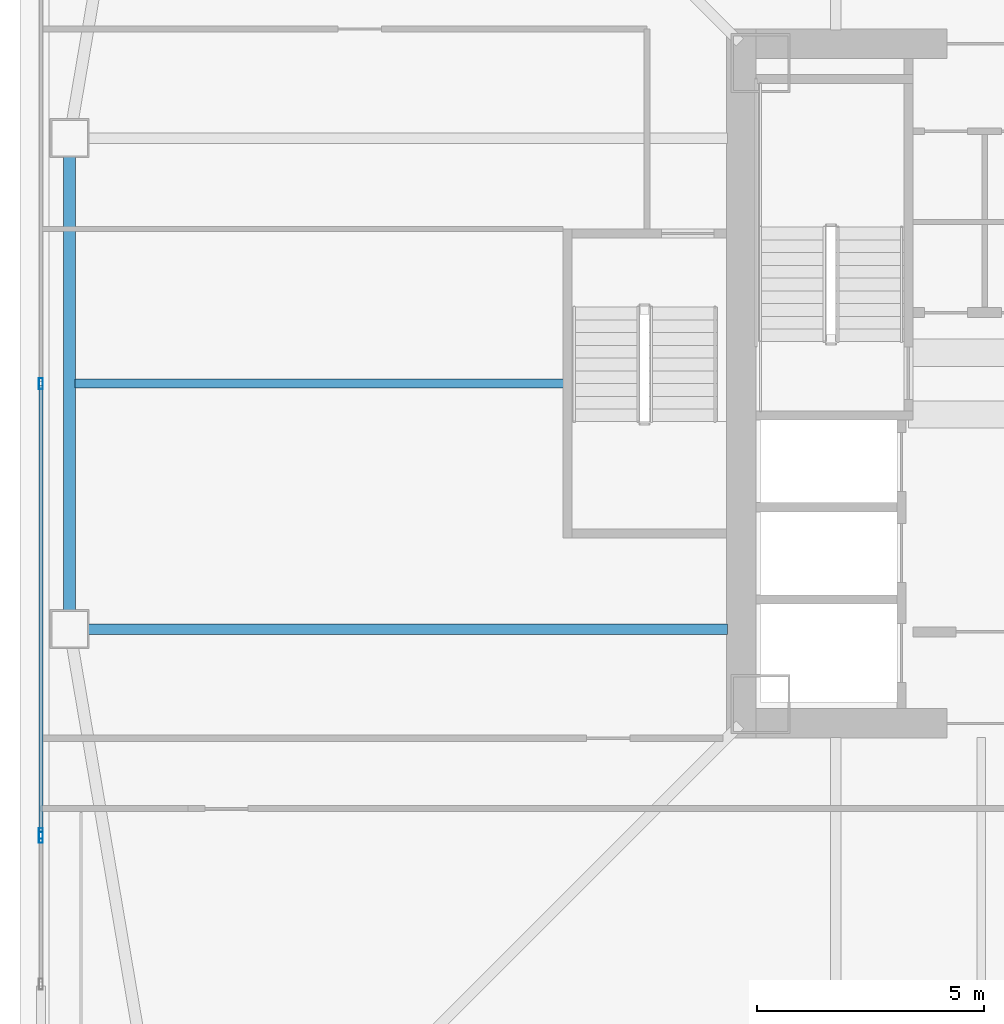
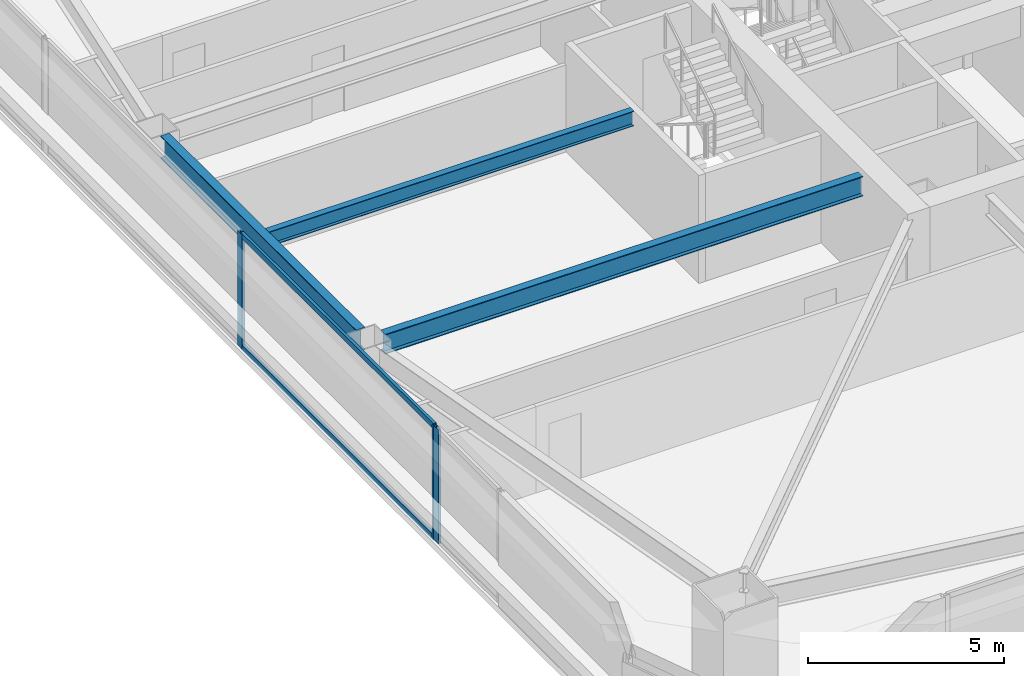
# One storey, part 7 of 46: 5 members, 3 beams, 2 elements without a shape of their own.
"""IFC4 building model written with IfcOpenShell, lengths in metres."""

from ifc_helpers import new_model, si_unit, direction, frame, origin, origin_2d, place, context, subcontext, project, spatial, hollow_rectangle, i_section, extrude, material, material_profile, profile_set, type_object, element, aggregate, save


model = new_model("IFC4")

# Units and contexts
model_context = context("Model", 3, precision=1e-05, world=origin(), true_north=direction((0.0, 1.0)))
body_context = subcontext(model_context, "Body", "Model", "MODEL_VIEW")
ifc_project = project(units=[si_unit("LENGTHUNIT", "METRE"), si_unit("AREAUNIT", "SQUARE_METRE"), si_unit("VOLUMEUNIT", "CUBIC_METRE"), si_unit("PLANEANGLEUNIT", "RADIAN"), si_unit("MASSUNIT", "GRAM", prefix="KILO")], contexts=[model_context])

# Site, building, storey
site_placement = place(None, origin())
site = spatial("IfcSite", under=ifc_project, at=site_placement, CompositionType="ELEMENT")
building_placement = place(site_placement, origin())
building = spatial("IfcBuilding", under=site, at=building_placement, Name="Tashvorn Skyway Center", CompositionType="ELEMENT")
storey_placement = place(building_placement, frame((0.0, 0.0, 60.10009765625)))
storey = spatial("IfcBuildingStorey", under=building, at=storey_placement, Name="L15", CompositionType="ELEMENT", Elevation=60.10009765625)

# Beams
ifc_material_1 = material(Name="Steel ASTM A992 Grade 50", Category="steel")
ifc_material_profile_1 = material_profile(ifc_material_1, i_section(OverallWidth=0.22998046875, OverallDepth=0.616943359375, WebThickness=0.01318359375, FlangeThickness=0.022216796875, at=origin_2d()), Name="W24X94")
ifc_profile_set_1 = profile_set([ifc_material_profile_1], Name="Steel ASTM A992 Grade 50")
beam_type_1 = type_object("IfcBeamType", Name="BM-BEAM-W24X94", PredefinedType="BEAM", material=ifc_profile_set_1)
beam_1_placement = place(storey_placement, frame((20.169921875, 26.60009765625, 3.04150390625), z_axis=(1.0, 0.0, 0.0), x_axis=(0.0, 1.0, 0.0)))
element("IfcBeam", 1, at=beam_1_placement, inside=storey, type_object=beam_type_1, Name="Tower 1 L15 Primary Floor Girder FC-W2", PredefinedType="BEAM", context=body_context, shape_type="SweptSolid", body=[
    extrude(i_section(OverallWidth=0.22998046875, OverallDepth=0.616943359375, WebThickness=0.01318359375, FlangeThickness=0.022216796875, at=origin_2d()), origin(), (0.0, 0.0, 1.0), 14.050048828125),
])
ifc_material_profile_2 = material_profile(ifc_material_1, i_section(OverallWidth=0.19091796875, OverallDepth=0.4599609375, WebThickness=0.010009765625, FlangeThickness=0.01611328125, at=origin_2d()), Name="W18X55")
ifc_profile_set_2 = profile_set([ifc_material_profile_2], Name="Steel ASTM A992 Grade 50")
beam_type_2 = type_object("IfcBeamType", Name="BM-JOIST-W18X55", PredefinedType="JOIST", material=ifc_profile_set_2)
beam_2_placement = place(storey_placement, frame((30.610107421875, 32.0, 3.119873046875), z_axis=(-1.0, 0.0, 0.0), x_axis=(0.0, -1.0, 0.0)))
element("IfcBeam", 2, at=beam_2_placement, inside=storey, type_object=beam_type_2, Name="Tower 1 L15 Secondary Composite Joist JW", PredefinedType="JOIST", context=body_context, shape_type="SweptSolid", body=[
    extrude(i_section(OverallWidth=0.19091796875, OverallDepth=0.4599609375, WebThickness=0.010009765625, FlangeThickness=0.01611328125, at=origin_2d()), origin(), (0.0, 0.0, 1.0), 10.739990234375),
])
ifc_material_profile_3 = material_profile(ifc_material_1, i_section(OverallWidth=0.256103515625, OverallDepth=0.693115234375, WebThickness=0.014404296875, FlangeThickness=0.023681640625, at=origin_2d()), Name="W27X114")
ifc_profile_set_3 = profile_set([ifc_material_profile_3], Name="Steel ASTM A992 Grade 50")
beam_type_3 = type_object("IfcBeamType", Name="BM-SPANDREL-W27X114", PredefinedType="SPANDREL", material=ifc_profile_set_3)
beam_3_placement = place(storey_placement, frame((19.75, 36.97998046875, 3.00341796875), z_axis=(0.0, -1.0, 0.0), x_axis=(1.0, 0.0, 0.0)))
element("IfcBeam", 3, at=beam_3_placement, inside=storey, type_object=beam_type_3, Name="Tower 1 L15 Spandrel Beam 11", PredefinedType="SPANDREL", context=body_context, shape_type="SweptSolid", body=[
    extrude(i_section(OverallWidth=0.256103515625, OverallDepth=0.693115234375, WebThickness=0.014404296875, FlangeThickness=0.023681640625, at=origin_2d()), origin(), (0.0, 0.0, 1.0), 9.9599609375),
])

# Curtain wall, member
ifc_material_2 = material(Name="Thermally broken bronze-anodized aluminium 6063-T6", Category="aluminium")
curtain_wall_type = type_object("IfcCurtainWallType", Name="CW-CW-Z1", PredefinedType="NOTDEFINED", material=ifc_material_2)
curtain_wall_1_placement = place(storey_placement, origin())
curtain_wall_1 = element("IfcCurtainWall", 4, at=curtain_wall_1_placement, inside=storey, type_object=curtain_wall_type, Name="Tower 1 L15 West Unitised Curtain Wall Glazing Group 1", PredefinedType="NOTDEFINED")
ifc_material_profile_4 = material_profile(ifc_material_2, hollow_rectangle(XDim=0.0849609375, YDim=0.239990234375, WallThickness=0.0048828125, at=origin_2d()), Name="ALU-MULL-85x240")
ifc_profile_set_4 = profile_set([ifc_material_profile_4], Name="Thermally broken bronze-anodized aluminium 6063-T6")
member_type_1 = type_object("IfcMemberType", Name="CWM-CW-Z1", PredefinedType="MULLION", material=ifc_profile_set_4)
member_1_placement = place(storey_placement, frame((19.1201171875, 22.017578125, 0.0), z_axis=(0.0, 0.0, 1.0), x_axis=(-1.0, 0.0, 0.0)))
member_1 = element("IfcMember", 5, at=member_1_placement, type_object=member_type_1, Name="CW-Z1 mullion 2", PredefinedType="MULLION", context=body_context, shape_type="SweptSolid", body=[
    extrude(hollow_rectangle(XDim=0.0849609375, YDim=0.239990234375, WallThickness=0.0048828125, at=origin_2d()), origin(), (0.0, 0.0, 1.0), 3.5498046875),
])
aggregate(curtain_wall_1, [member_1])

# Curtain wall, members
curtain_wall_2_placement = place(storey_placement, origin())
curtain_wall_2 = element("IfcCurtainWall", 6, at=curtain_wall_2_placement, inside=storey, type_object=curtain_wall_type, Name="Tower 1 L15 West Unitised Curtain Wall Glazing Group 2", PredefinedType="NOTDEFINED")
member_2_placement = place(storey_placement, frame((19.1201171875, 22.1025390625, 0.0), z_axis=(0.0, 0.0, 1.0), x_axis=(-1.0, 0.0, 0.0)))
member_2 = element("IfcMember", 7, at=member_2_placement, type_object=member_type_1, Name="CW-Z1 mullion 1", PredefinedType="MULLION", context=body_context, shape_type="SweptSolid", body=[
    extrude(hollow_rectangle(XDim=0.0849609375, YDim=0.239990234375, WallThickness=0.0048828125, at=origin_2d()), origin(), (0.0, 0.0, 1.0), 3.5498046875),
])
member_3_placement = place(storey_placement, frame((19.1201171875, 32.0, 0.0), z_axis=(0.0, 0.0, 1.0), x_axis=(-1.0, 0.0, 0.0)))
member_3 = element("IfcMember", 8, at=member_3_placement, type_object=member_type_1, Name="CW-Z1 mullion 2", PredefinedType="MULLION", context=body_context, shape_type="SweptSolid", body=[
    extrude(hollow_rectangle(XDim=0.0849609375, YDim=0.239990234375, WallThickness=0.0048828125, at=origin_2d()), origin(), (0.0, 0.0, 1.0), 3.5498046875),
])
ifc_material_profile_5 = material_profile(ifc_material_2, hollow_rectangle(XDim=0.0849609375, YDim=0.1650390625, WallThickness=0.0048828125, at=origin_2d()), Name="ALU-TRAN-85x165")
ifc_profile_set_5 = profile_set([ifc_material_profile_5], Name="Thermally broken bronze-anodized aluminium 6063-T6")
member_type_2 = type_object("IfcMemberType", Name="CWT-CW-Z1", PredefinedType="USERDEFINED", material=ifc_profile_set_5)
member_4_placement = place(storey_placement, frame((19.1201171875, 22.14501953125, 0.04248046875), z_axis=(0.0, 1.0, 0.0), x_axis=(-1.0, 0.0, 0.0)))
member_4 = element("IfcMember", 9, at=member_4_placement, type_object=member_type_2, Name="CW-Z1 transom 1.1", ObjectType="TRANSOM", PredefinedType="USERDEFINED", context=body_context, shape_type="SweptSolid", body=[
    extrude(hollow_rectangle(XDim=0.0849609375, YDim=0.1650390625, WallThickness=0.0048828125, at=origin_2d()), origin(), (0.0, 0.0, 1.0), 9.8125),
])
member_5_placement = place(storey_placement, frame((19.1201171875, 22.14501953125, 3.50732421875), z_axis=(0.0, 1.0, 0.0), x_axis=(-1.0, 0.0, 0.0)))
member_5 = element("IfcMember", 10, at=member_5_placement, type_object=member_type_2, Name="CW-Z1 transom 1.2", ObjectType="TRANSOM", PredefinedType="USERDEFINED", context=body_context, shape_type="SweptSolid", body=[
    extrude(hollow_rectangle(XDim=0.0849609375, YDim=0.1650390625, WallThickness=0.0048828125, at=origin_2d()), origin(), (0.0, 0.0, 1.0), 9.8125),
])
aggregate(curtain_wall_2, [member_2, member_3, member_4, member_5])

save(model, "model.ifc")
